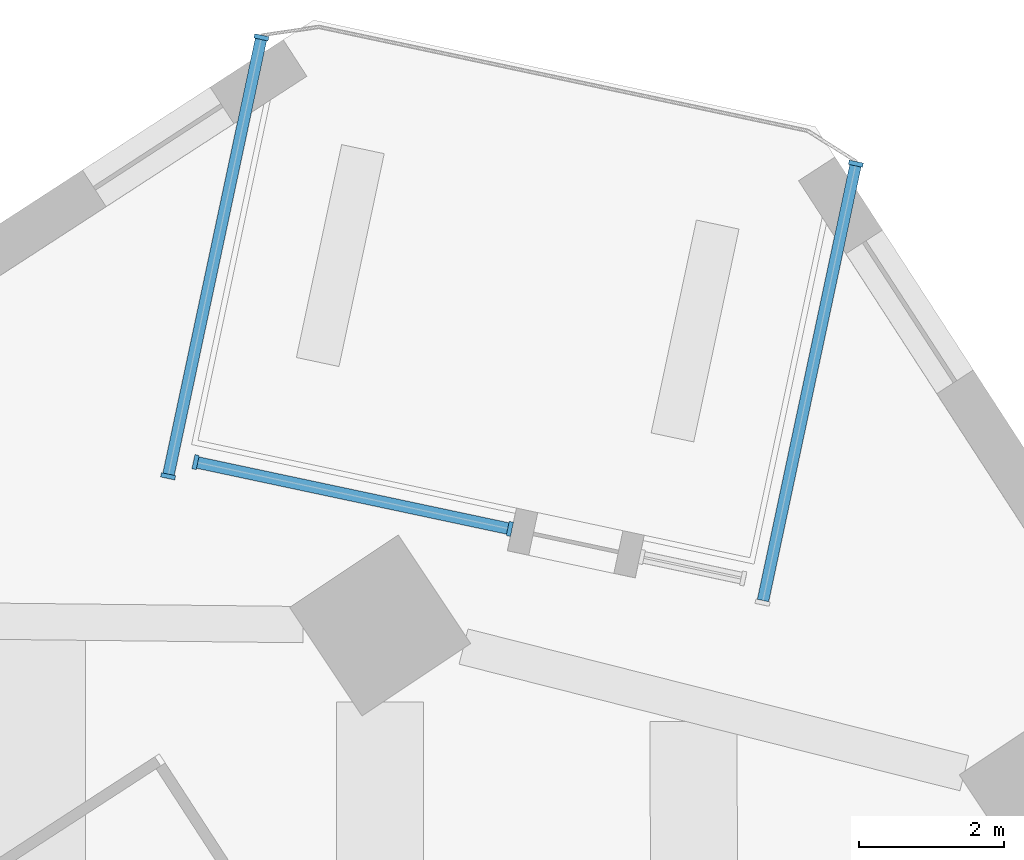
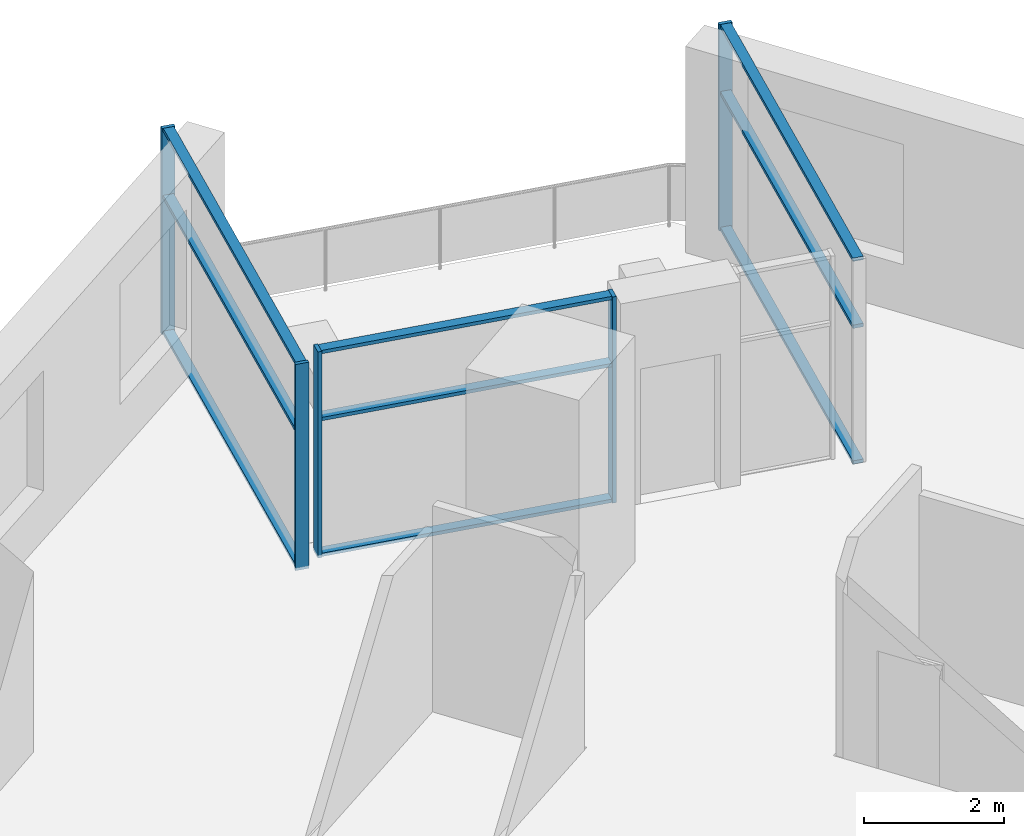
# One storey, part 4 of 12: 14 members, 3 elements without a shape of their own.
"""IFC4 building model written with IfcOpenShell, lengths in metres."""

from ifc_helpers import new_model, si_unit, direction, frame, origin, origin_2d, place, context, subcontext, project, spatial, rectangle, extrude, material, material_profile, profile_set, type_object, element, aggregate, save


model = new_model("IFC4")

# Units and contexts
model_context = context("Model", 3, precision=1e-05, world=origin(), true_north=direction((0.0, 1.0)))
body_context = subcontext(model_context, "Body", "Model", "MODEL_VIEW")
ifc_project = project(units=[si_unit("LENGTHUNIT", "METRE"), si_unit("AREAUNIT", "SQUARE_METRE"), si_unit("VOLUMEUNIT", "CUBIC_METRE"), si_unit("PLANEANGLEUNIT", "RADIAN"), si_unit("MASSUNIT", "GRAM", prefix="KILO")], contexts=[model_context])

# Site, building, storey
site_placement = place(None, origin())
site = spatial("IfcSite", under=ifc_project, at=site_placement, CompositionType="ELEMENT")
building_placement = place(site_placement, origin())
building = spatial("IfcBuilding", under=site, at=building_placement, Name="Dilmun Exchange Tower", CompositionType="ELEMENT")
storey_placement = place(building_placement, frame((0.0, 0.0, 155.699951171875)))
storey = spatial("IfcBuildingStorey", under=building, at=storey_placement, Name="L36", CompositionType="ELEMENT", Elevation=155.699951171875)

# Curtain wall, member
ifc_material_1 = material(Name="Anodised aluminium and clear glass", Category="aluminium")
curtain_wall_type = type_object("IfcCurtainWallType", Name="Garden corner glazing", PredefinedType="NOTDEFINED", material=ifc_material_1)
curtain_wall_1_placement = place(storey_placement, origin())
curtain_wall_1 = element("IfcCurtainWall", 1, at=curtain_wall_1_placement, inside=storey, type_object=curtain_wall_type, Name="Garden corner glazing run GC1.1", PredefinedType="NOTDEFINED")
ifc_material_2 = material(Name="Anodised aluminium", Category="aluminium")
ifc_material_profile_1 = material_profile(ifc_material_2, rectangle(XDim=0.199951171875, YDim=0.06005859375, at=origin_2d()), Name="AL 60x200")
ifc_profile_set_1 = profile_set([ifc_material_profile_1], Name="Anodised aluminium")
member_type_1 = type_object("IfcMemberType", Name="Garden corner glazing mullion 60 x 200", PredefinedType="MULLION", material=ifc_profile_set_1)
member_1_placement = place(storey_placement, frame((14.064453125, 33.775634765625, 0.0), z_axis=(0.0, 0.0, 1.0), x_axis=(0.978147579121, -0.207911792498, 0.0)))
member_1 = element("IfcMember", 2, at=member_1_placement, type_object=member_type_1, Name="GC1.1 mullion 1", PredefinedType="MULLION", context=body_context, shape_type="SweptSolid", body=[
    extrude(rectangle(XDim=0.199951171875, YDim=0.06005859375, at=origin_2d()), origin(), (0.0, 0.0, 1.0), 3.60009765625),
])

# Curtain wall, members
curtain_wall_2_placement = place(storey_placement, origin())
curtain_wall_2 = element("IfcCurtainWall", 3, at=curtain_wall_2_placement, inside=storey, type_object=curtain_wall_type, Name="Garden corner glazing run GC2.3", PredefinedType="NOTDEFINED")
member_2_placement = place(storey_placement, frame((9.294189453125, 28.740966796875, 0.0), z_axis=(0.0, 0.0, 1.0), x_axis=(-0.207925360589, -0.978144695034, 0.0)))
member_2 = element("IfcMember", 4, at=member_2_placement, type_object=member_type_1, Name="GC2.3 mullion 1", PredefinedType="MULLION", context=body_context, shape_type="SweptSolid", body=[
    extrude(rectangle(XDim=0.199951171875, YDim=0.06005859375, at=origin_2d()), origin(), (0.0, 0.0, 1.0), 3.60009765625),
])
member_3_placement = place(storey_placement, frame((4.9619140625, 29.661865234375, 0.0), z_axis=(0.0, 0.0, 1.0), x_axis=(-0.207925360589, -0.978144695034, 0.0)))
member_3 = element("IfcMember", 5, at=member_3_placement, type_object=member_type_1, Name="GC2.3 mullion 2", PredefinedType="MULLION", context=body_context, shape_type="SweptSolid", body=[
    extrude(rectangle(XDim=0.199951171875, YDim=0.06005859375, at=origin_2d()), origin(), (0.0, 0.0, 1.0), 3.60009765625),
])

curtain_wall_3_placement = place(storey_placement, origin())
curtain_wall_3 = element("IfcCurtainWall", 6, at=curtain_wall_3_placement, inside=storey, type_object=curtain_wall_type, Name="Garden corner glazing run GC3.1", PredefinedType="NOTDEFINED")
member_4_placement = place(storey_placement, frame((4.5830078125, 29.46630859375, 0.0), z_axis=(0.0, 0.0, 1.0), x_axis=(-0.978147579121, 0.207911792498, 0.0)))
member_4 = element("IfcMember", 7, at=member_4_placement, type_object=member_type_1, Name="GC3.1 mullion 1", PredefinedType="MULLION", context=body_context, shape_type="SweptSolid", body=[
    extrude(rectangle(XDim=0.199951171875, YDim=0.06005859375, at=origin_2d()), origin(), (0.0, 0.0, 1.0), 3.60009765625),
])
member_5_placement = place(storey_placement, frame((5.869140625, 35.517578125, 0.0), z_axis=(0.0, 0.0, 1.0), x_axis=(-0.978147579121, 0.207911792498, 0.0)))
member_5 = element("IfcMember", 8, at=member_5_placement, type_object=member_type_1, Name="GC3.1 mullion 2", PredefinedType="MULLION", context=body_context, shape_type="SweptSolid", body=[
    extrude(rectangle(XDim=0.199951171875, YDim=0.06005859375, at=origin_2d()), origin(), (0.0, 0.0, 1.0), 3.60009765625),
])

# Member
ifc_material_profile_2 = material_profile(ifc_material_2, rectangle(XDim=0.159912109375, YDim=0.06005859375, at=origin_2d()), Name="AL 60x160")
ifc_profile_set_2 = profile_set([ifc_material_profile_2], Name="Anodised aluminium")
member_type_2 = type_object("IfcMemberType", Name="Garden corner glazing transom 60 x 160", PredefinedType="USERDEFINED", material=ifc_profile_set_2)
member_6_placement = place(storey_placement, frame((14.05810546875, 33.746337890625, 0.030029296875), z_axis=(-0.207904034352, -0.978149228134, 0.0), x_axis=(0.978149228134, -0.207904034352, 0.0)))
member_6 = element("IfcMember", 9, at=member_6_placement, type_object=member_type_2, Name="GC1.1 transom 1.1", ObjectType="TRANSOM", PredefinedType="USERDEFINED", context=body_context, shape_type="SweptSolid", body=[
    extrude(rectangle(XDim=0.159912109375, YDim=0.06005859375, at=origin_2d()), origin(), (0.0, 0.0, 1.0), 6.126220703125),
])

member_7_placement = place(storey_placement, frame((14.05810546875, 33.746337890625, 2.400146484375), z_axis=(-0.207904034352, -0.978149228134, 0.0), x_axis=(0.978149228134, -0.207904034352, 0.0)))
member_7 = element("IfcMember", 10, at=member_7_placement, type_object=member_type_2, Name="GC1.1 transom 1.2", ObjectType="TRANSOM", PredefinedType="USERDEFINED", context=body_context, shape_type="SweptSolid", body=[
    extrude(rectangle(XDim=0.159912109375, YDim=0.06005859375, at=origin_2d()), origin(), (0.0, 0.0, 1.0), 6.126220703125),
])

member_8_placement = place(storey_placement, frame((14.05810546875, 33.746337890625, 3.570068359375), z_axis=(-0.207904034352, -0.978149228134, 0.0), x_axis=(0.978149228134, -0.207904034352, 0.0)))
member_8 = element("IfcMember", 11, at=member_8_placement, type_object=member_type_2, Name="GC1.1 transom 1.3", ObjectType="TRANSOM", PredefinedType="USERDEFINED", context=body_context, shape_type="SweptSolid", body=[
    extrude(rectangle(XDim=0.159912109375, YDim=0.06005859375, at=origin_2d()), origin(), (0.0, 0.0, 1.0), 6.126220703125),
])

aggregate(curtain_wall_1, [member_1, member_6, member_7, member_8])

member_9_placement = place(storey_placement, frame((9.264892578125, 28.7470703125, 0.030029296875), z_axis=(-0.978145357594, 0.207922243679, 0.0), x_axis=(-0.207922243679, -0.978145357594, 0.0)))
member_9 = element("IfcMember", 12, at=member_9_placement, type_object=member_type_2, Name="GC2.3 transom 1.1", ObjectType="TRANSOM", PredefinedType="USERDEFINED", context=body_context, shape_type="SweptSolid", body=[
    extrude(rectangle(XDim=0.159912109375, YDim=0.06005859375, at=origin_2d()), origin(), (0.0, 0.0, 1.0), 4.369140625),
])

member_10_placement = place(storey_placement, frame((9.264892578125, 28.7470703125, 2.400146484375), z_axis=(-0.978145357594, 0.207922243679, 0.0), x_axis=(-0.207922243679, -0.978145357594, 0.0)))
member_10 = element("IfcMember", 13, at=member_10_placement, type_object=member_type_2, Name="GC2.3 transom 1.2", ObjectType="TRANSOM", PredefinedType="USERDEFINED", context=body_context, shape_type="SweptSolid", body=[
    extrude(rectangle(XDim=0.159912109375, YDim=0.06005859375, at=origin_2d()), origin(), (0.0, 0.0, 1.0), 4.369140625),
])

member_11_placement = place(storey_placement, frame((9.264892578125, 28.7470703125, 3.570068359375), z_axis=(-0.978145357594, 0.207922243679, 0.0), x_axis=(-0.207922243679, -0.978145357594, 0.0)))
member_11 = element("IfcMember", 14, at=member_11_placement, type_object=member_type_2, Name="GC2.3 transom 1.3", ObjectType="TRANSOM", PredefinedType="USERDEFINED", context=body_context, shape_type="SweptSolid", body=[
    extrude(rectangle(XDim=0.159912109375, YDim=0.06005859375, at=origin_2d()), origin(), (0.0, 0.0, 1.0), 4.369140625),
])

aggregate(curtain_wall_2, [member_2, member_3, member_9, member_10, member_11])

member_12_placement = place(storey_placement, frame((4.58935546875, 29.49560546875, 0.030029296875), z_axis=(0.207895930462, 0.978150950568, 0.0), x_axis=(-0.978150950568, 0.207895930462, 0.0)))
member_12 = element("IfcMember", 15, at=member_12_placement, type_object=member_type_2, Name="GC3.1 transom 1.1", ObjectType="TRANSOM", PredefinedType="USERDEFINED", context=body_context, shape_type="SweptSolid", body=[
    extrude(rectangle(XDim=0.159912109375, YDim=0.06005859375, at=origin_2d()), origin(), (0.0, 0.0, 1.0), 6.12646484375),
])

member_13_placement = place(storey_placement, frame((4.58935546875, 29.49560546875, 2.400146484375), z_axis=(0.207895930462, 0.978150950568, 0.0), x_axis=(-0.978150950568, 0.207895930462, 0.0)))
member_13 = element("IfcMember", 16, at=member_13_placement, type_object=member_type_2, Name="GC3.1 transom 1.2", ObjectType="TRANSOM", PredefinedType="USERDEFINED", context=body_context, shape_type="SweptSolid", body=[
    extrude(rectangle(XDim=0.159912109375, YDim=0.06005859375, at=origin_2d()), origin(), (0.0, 0.0, 1.0), 6.12646484375),
])

member_14_placement = place(storey_placement, frame((4.58935546875, 29.49560546875, 3.570068359375), z_axis=(0.207895930462, 0.978150950568, 0.0), x_axis=(-0.978150950568, 0.207895930462, 0.0)))
member_14 = element("IfcMember", 17, at=member_14_placement, type_object=member_type_2, Name="GC3.1 transom 1.3", ObjectType="TRANSOM", PredefinedType="USERDEFINED", context=body_context, shape_type="SweptSolid", body=[
    extrude(rectangle(XDim=0.159912109375, YDim=0.06005859375, at=origin_2d()), origin(), (0.0, 0.0, 1.0), 6.12646484375),
])

aggregate(curtain_wall_3, [member_4, member_5, member_12, member_13, member_14])

save(model, "model.ifc")
